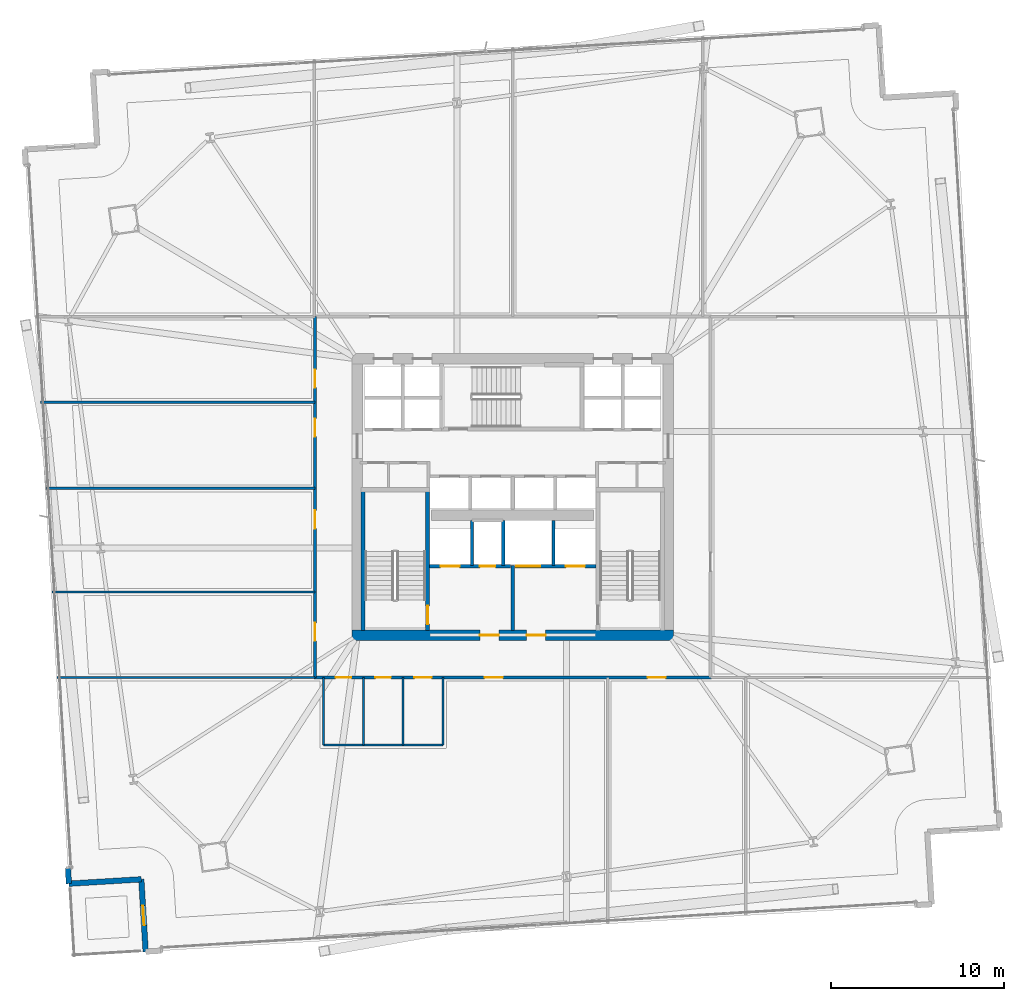
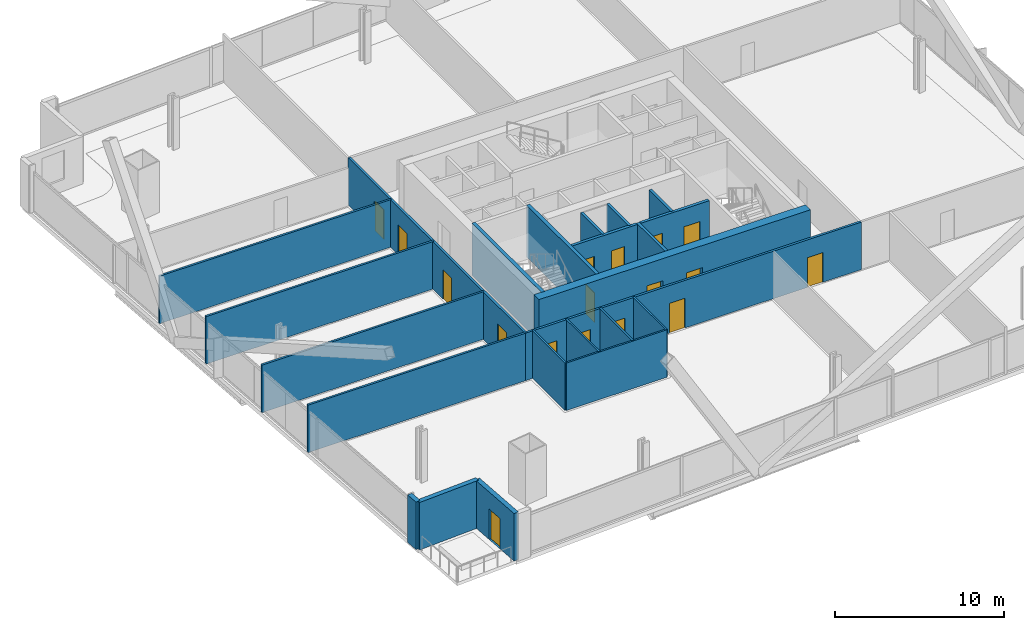
# One storey, part 26 of 34: 23 walls, 17 doors, 17 openings.
"""IFC4 building model written with IfcOpenShell, lengths in metres."""

from ifc_helpers import new_model, si_unit, direction, frame, frame_2d, origin, place, context, subcontext, project, spatial, rectangle, extrude, material, layer, layer_set, type_object, element, fill, save


model = new_model("IFC4")

# Units and contexts
model_context = context("Model", 3, precision=1e-05, world=origin(), true_north=direction((0.0, 1.0)))
body_context = subcontext(model_context, "Body", "Model", "MODEL_VIEW")
ifc_project = project(units=[si_unit("LENGTHUNIT", "METRE"), si_unit("AREAUNIT", "SQUARE_METRE"), si_unit("VOLUMEUNIT", "CUBIC_METRE"), si_unit("PLANEANGLEUNIT", "RADIAN"), si_unit("MASSUNIT", "GRAM", prefix="KILO")], contexts=[model_context])

# Site, building, storey
site_placement = place(None, origin())
site = spatial("IfcSite", under=ifc_project, at=site_placement, CompositionType="ELEMENT")
building_placement = place(site_placement, origin())
building = spatial("IfcBuilding", under=site, at=building_placement, Name="Haldenkirk Collegiate Tower", CompositionType="ELEMENT")
storey_placement = place(building_placement, frame((0.0, 0.0, 40.199951171875)))
storey = spatial("IfcBuildingStorey", under=building, at=storey_placement, Name="L08", CompositionType="ELEMENT", Elevation=40.199951171875)

# Wall, openings, doors
ifc_material_1 = material(Name="Concrete f'c 70 MPa", Category="concrete")
ifc_layer_1 = layer(ifc_material_1, 0.60009765625)
ifc_layer_set_1 = layer_set([ifc_layer_1], Name="Concrete f'c 70 MPa")
wall_type_1 = type_object("IfcWallType", Name="WL-CORE-600", PredefinedType="SHEAR", material=ifc_layer_set_1)
wall_1_placement = place(storey_placement, frame((26.699951171875, 18.0, 0.0), z_axis=(0.0, 0.0, 1.0), x_axis=(1.0, 0.0, 0.0)))
wall_1 = element("IfcWall", 1, at=wall_1_placement, inside=storey, type_object=wall_type_1, Name="L08 central core shear wall S", PredefinedType="SHEAR", context=body_context, shape_type="SweptSolid", body=[
    extrude(rectangle(XDim=18.60009765625, YDim=0.60009765625, at=frame_2d((9.300048828125, 0.0))), origin(), (0.0, 0.0, 1.0), 3.75),
])
opening_1_placement = place(wall_1_placement, frame((7.39990234375, 0.0, 0.0)))
opening_1 = element("IfcOpeningElement", 2, at=opening_1_placement, cuts=wall_1, Name="Opening D-02", PredefinedType="OPENING", context=body_context, shape_type="SweptSolid", body=[
    extrude(rectangle(XDim=1.10009765625, YDim=2.14990234375, at=frame_2d((0.550048828125, 1.074951171875))), frame((0.0, 0.31005859375, 0.0), z_axis=(0.0, -1.0, 0.0), x_axis=(1.0, 0.0, 0.0)), (0.0, 0.0, 1.0), 0.6201171875),
])
opening_2_placement = place(wall_1_placement, frame((10.10009765625, 0.0, 0.0)))
opening_2 = element("IfcOpeningElement", 3, at=opening_2_placement, cuts=wall_1, Name="Opening D-02", PredefinedType="OPENING", context=body_context, shape_type="SweptSolid", body=[
    extrude(rectangle(XDim=1.10009765625, YDim=2.14990234375, at=frame_2d((0.550048828125, 1.074951171875))), frame((0.0, 0.31005859375, 0.0), z_axis=(0.0, -1.0, 0.0), x_axis=(1.0, 0.0, 0.0)), (0.0, 0.0, 1.0), 0.6201171875),
])
ifc_material_2 = material(Name="Galvanized fire-rated hollow steel door", Category="steel")
ifc_layer_2 = layer(ifc_material_2, 0.06005859375)
ifc_layer_set_2 = layer_set([ifc_layer_2], Name="Galvanized fire-rated hollow steel door")
door_type_1 = type_object("IfcDoorType", Name="DR-STAIR-FD90-1100", OperationType="NOTDEFINED", PredefinedType="DOOR", material=ifc_layer_set_2)
door_1_placement = place(opening_1_placement, origin())
door_1 = element("IfcDoor", 4, at=door_1_placement, inside=storey, type_object=door_type_1, Name="L08 Firefighting Lobby 1 door", OperationType="SINGLE_SWING_RIGHT", OverallHeight=2.14990234375, OverallWidth=1.10009765625, PredefinedType="DOOR", context=body_context, shape_type="SweptSolid", body=[
    extrude(rectangle(XDim=1.10009765625, YDim=2.14990234375, at=frame_2d((0.550048828125, 1.074951171875))), frame((0.0, 0.02490234375, 0.0), z_axis=(0.0, -1.0, 0.0), x_axis=(1.0, 0.0, 0.0)), (0.0, 0.0, 1.0), 0.050048828125),
])
fill(opening_1, door_1)
door_2_placement = place(opening_2_placement, origin())
door_2 = element("IfcDoor", 5, at=door_2_placement, inside=storey, type_object=door_type_1, Name="L08 Firefighting Lobby 2 door", OperationType="SINGLE_SWING_LEFT", OverallHeight=2.14990234375, OverallWidth=1.10009765625, PredefinedType="DOOR", context=body_context, shape_type="SweptSolid", body=[
    extrude(rectangle(XDim=1.10009765625, YDim=2.14990234375, at=frame_2d((0.550048828125, 1.074951171875))), frame((0.0, 0.02490234375, 0.0), z_axis=(0.0, -1.0, 0.0), x_axis=(1.0, 0.0, 0.0)), (0.0, 0.0, 1.0), 0.050048828125),
])
fill(opening_2, door_2)

# Walls
ifc_material_3 = material(Name="Precast concrete f'c 40 MPa", Category="concrete")
ifc_layer_3 = layer(ifc_material_3, 0.320068359375)
ifc_layer_set_3 = layer_set([ifc_layer_3], Name="Precast concrete f'c 40 MPa")
wall_type_2 = type_object("IfcWallType", Name="WL-EXT-TWR-320", PredefinedType="STANDARD", material=ifc_layer_set_3)
wall_2_placement = place(storey_placement, frame((10.300537109375, 3.61279296875, 0.0), z_axis=(0.0, 0.0, 1.0), x_axis=(-0.060216615204, 0.998185333119, 0.0)))
element("IfcWall", 6, at=wall_2_placement, inside=storey, type_object=wall_type_2, Name="L08 precast corner pier WL", PredefinedType="STANDARD", context=body_context, shape_type="SweptSolid", body=[
    extrude(rectangle(XDim=0.900146484375, YDim=0.320068359375, at=frame_2d((0.4501953125, 0.0))), origin(), (0.0, 0.0, 1.0), 3.43994140625),
])
wall_3_placement = place(storey_placement, frame((14.492919921875, 3.865478515625, 0.0), z_axis=(0.0, 0.0, 1.0), x_axis=(-0.998188544632, -0.060163355677, 0.0)))
element("IfcWall", 7, at=wall_3_placement, inside=storey, type_object=wall_type_2, Name="L08 bronze precast notch wall 11", PredefinedType="STANDARD", context=body_context, shape_type="SweptSolid", body=[
    extrude(rectangle(XDim=4.199951171875, YDim=0.320068359375, at=frame_2d((2.10009765625, 0.0))), origin(), (0.0, 0.0, 1.0), 3.43994140625),
])

# Wall, opening, door
wall_4_placement = place(storey_placement, frame((14.745849609375, -0.32666015625, 0.0), z_axis=(0.0, 0.0, 1.0), x_axis=(-0.060224768245, 0.998184841244, 0.0)))
wall_4 = element("IfcWall", 8, at=wall_4_placement, inside=storey, type_object=wall_type_2, Name="L08 bronze precast notch wall 12", PredefinedType="STANDARD", context=body_context, shape_type="SweptSolid", body=[
    extrude(rectangle(XDim=4.19970703125, YDim=0.320068359375, at=frame_2d((2.099853515625, 0.0))), origin(), (0.0, 0.0, 1.0), 3.43994140625),
])
opening_3_placement = place(wall_4_placement, frame((1.52490234375, 0.0, 0.0)))
opening_3 = element("IfcOpeningElement", 9, at=opening_3_placement, cuts=wall_4, Name="Opening D-ST11", PredefinedType="OPENING", context=body_context, shape_type="SweptSolid", body=[
    extrude(rectangle(XDim=1.14990234375, YDim=2.199951171875, at=frame_2d((0.574951171875, 1.10009765625))), frame((0.0, 0.169921875, 0.0), z_axis=(0.0, -1.0, 0.0), x_axis=(1.0, 0.0, 0.0)), (0.0, 0.0, 1.0), 0.340087890625),
])
ifc_material_4 = material(Name="Anodised architectural bronze aluminium", Category="aluminium")
ifc_layer_4 = layer(ifc_material_4, 0.080078125)
ifc_layer_set_4 = layer_set([ifc_layer_4], Name="Anodised architectural bronze aluminium")
door_type_2 = type_object("IfcDoorType", Name="DR-EXT-STER-1150", OperationType="NOTDEFINED", PredefinedType="DOOR", material=ifc_layer_set_4)
door_3_placement = place(opening_3_placement, origin())
door_3 = element("IfcDoor", 10, at=door_3_placement, inside=storey, type_object=door_type_2, Name="L08 spiralling terrace door", OperationType="SINGLE_SWING_LEFT", OverallHeight=2.199951171875, OverallWidth=1.14990234375, PredefinedType="DOOR", context=body_context, shape_type="SweptSolid", body=[
    extrude(rectangle(XDim=1.14990234375, YDim=2.199951171875, at=frame_2d((0.574951171875, 1.10009765625))), frame((0.0, 0.02490234375, 0.0), z_axis=(0.0, -1.0, 0.0), x_axis=(1.0, 0.0, 0.0)), (0.0, 0.0, 1.0), 0.050048828125),
])
fill(opening_3, door_3)

# Wall, openings, doors
ifc_material_5 = material(Name="Acoustic fire-rated gypsum partition", Category="concrete")
ifc_layer_5 = layer(ifc_material_5, 0.159912109375)
ifc_layer_set_5 = layer_set([ifc_layer_5], Name="Acoustic fire-rated gypsum partition")
wall_type_3 = type_object("IfcWallType", Name="WL-INT-CORR-160", PredefinedType="PARTITIONING", material=ifc_layer_set_5)
wall_5_placement = place(storey_placement, frame((24.5, 15.550048828125, 0.0), z_axis=(0.0, 0.0, 1.0), x_axis=(1.0, 0.0, 0.0)))
wall_5 = element("IfcWall", 11, at=wall_5_placement, inside=storey, type_object=wall_type_3, Name="L08 interior partition IW-L08-CS", PredefinedType="PARTITIONING", context=body_context, shape_type="SweptSolid", body=[
    extrude(rectangle(XDim=23.0, YDim=0.159912109375, at=frame_2d((11.5, 0.0))), origin(), (0.0, 0.0, 1.0), 3.43994140625),
])
opening_4_placement = place(wall_5_placement, frame((1.25, 0.0, 0.0)))
opening_4 = element("IfcOpeningElement", 12, at=opening_4_placement, cuts=wall_5, Name="Opening D-13", PredefinedType="OPENING", context=body_context, shape_type="SweptSolid", body=[
    extrude(rectangle(XDim=0.89990234375, YDim=2.14990234375, at=frame_2d((0.449951171875, 1.074951171875))), frame((0.0, 0.08984375, 0.0), z_axis=(0.0, -1.0, 0.0), x_axis=(1.0, 0.0, 0.0)), (0.0, 0.0, 1.0), 0.179931640625),
])
opening_5_placement = place(wall_5_placement, frame((3.550048828125, 0.0, 0.0)))
opening_5 = element("IfcOpeningElement", 13, at=opening_5_placement, cuts=wall_5, Name="Opening D-13", PredefinedType="OPENING", context=body_context, shape_type="SweptSolid", body=[
    extrude(rectangle(XDim=0.89990234375, YDim=2.14990234375, at=frame_2d((0.449951171875, 1.074951171875))), frame((0.0, 0.08984375, 0.0), z_axis=(0.0, -1.0, 0.0), x_axis=(1.0, 0.0, 0.0)), (0.0, 0.0, 1.0), 0.179931640625),
])
opening_6_placement = place(wall_5_placement, frame((5.800048828125, 0.0, 0.0)))
opening_6 = element("IfcOpeningElement", 14, at=opening_6_placement, cuts=wall_5, Name="Opening D-14", PredefinedType="OPENING", context=body_context, shape_type="SweptSolid", body=[
    extrude(rectangle(XDim=1.0, YDim=2.14990234375, at=frame_2d((0.5, 1.074951171875))), frame((0.0, 0.08984375, 0.0), z_axis=(0.0, -1.0, 0.0), x_axis=(1.0, 0.0, 0.0)), (0.0, 0.0, 1.0), 0.179931640625),
])
opening_7_placement = place(wall_5_placement, frame((9.875, 0.0, 0.0)))
opening_7 = element("IfcOpeningElement", 15, at=opening_7_placement, cuts=wall_5, Name="Opening D-09", PredefinedType="OPENING", context=body_context, shape_type="SweptSolid", body=[
    extrude(rectangle(XDim=1.050048828125, YDim=2.14990234375, at=frame_2d((0.52490234375, 1.074951171875))), frame((0.0, 0.08984375, 0.0), z_axis=(0.0, -1.0, 0.0), x_axis=(1.0, 0.0, 0.0)), (0.0, 0.0, 1.0), 0.179931640625),
])
opening_8_placement = place(wall_5_placement, frame((19.30908203125, 0.0, 0.0)))
opening_8 = element("IfcOpeningElement", 16, at=opening_8_placement, cuts=wall_5, Name="Opening D-09", PredefinedType="OPENING", context=body_context, shape_type="SweptSolid", body=[
    extrude(rectangle(XDim=1.050048828125, YDim=2.14990234375, at=frame_2d((0.52490234375, 1.074951171875))), frame((0.0, 0.08984375, 0.0), z_axis=(0.0, -1.0, 0.0), x_axis=(1.0, 0.0, 0.0)), (0.0, 0.0, 1.0), 0.179931640625),
])
ifc_material_6 = material(Name="Solid-core architectural oak fire door", Category="wood")
ifc_layer_6 = layer(ifc_material_6, 0.06005859375)
ifc_layer_set_6 = layer_set([ifc_layer_6], Name="Solid-core architectural oak fire door")
door_type_3 = type_object("IfcDoorType", Name="DR-INT-ACC-1000", OperationType="NOTDEFINED", PredefinedType="DOOR", material=ifc_layer_set_6)
door_4_placement = place(opening_6_placement, origin())
door_4 = element("IfcDoor", 17, at=door_4_placement, inside=storey, type_object=door_type_3, Name="L08 Accessible WC door", OperationType="SINGLE_SWING_LEFT", OverallHeight=2.14990234375, OverallWidth=1.0, PredefinedType="DOOR", context=body_context, shape_type="SweptSolid", body=[
    extrude(rectangle(XDim=1.0, YDim=2.14990234375, at=frame_2d((0.5, 1.074951171875))), frame((0.0, 0.02490234375, 0.0), z_axis=(0.0, -1.0, 0.0), x_axis=(1.0, 0.0, 0.0)), (0.0, 0.0, 1.0), 0.050048828125),
])
fill(opening_6, door_4)
ifc_layer_7 = layer(ifc_material_6, 0.06005859375)
ifc_layer_set_7 = layer_set([ifc_layer_7], Name="Solid-core architectural oak fire door")
door_type_4 = type_object("IfcDoorType", Name="DR-INT-FD60-1050", OperationType="NOTDEFINED", PredefinedType="DOOR", material=ifc_layer_set_7)
door_5_placement = place(opening_7_placement, origin())
door_5 = element("IfcDoor", 18, at=door_5_placement, inside=storey, type_object=door_type_4, Name="L08 Graduate Seminar Room 1 door", OperationType="SINGLE_SWING_RIGHT", OverallHeight=2.14990234375, OverallWidth=1.050048828125, PredefinedType="DOOR", context=body_context, shape_type="SweptSolid", body=[
    extrude(rectangle(XDim=1.050048828125, YDim=2.14990234375, at=frame_2d((0.52490234375, 1.074951171875))), frame((0.0, 0.02490234375, 0.0), z_axis=(0.0, -1.0, 0.0), x_axis=(1.0, 0.0, 0.0)), (0.0, 0.0, 1.0), 0.050048828125),
])
fill(opening_7, door_5)
door_6_placement = place(opening_8_placement, origin())
door_6 = element("IfcDoor", 19, at=door_6_placement, inside=storey, type_object=door_type_4, Name="L08 Colloquium Conference Room 2 door", OperationType="SINGLE_SWING_LEFT", OverallHeight=2.14990234375, OverallWidth=1.050048828125, PredefinedType="DOOR", context=body_context, shape_type="SweptSolid", body=[
    extrude(rectangle(XDim=1.050048828125, YDim=2.14990234375, at=frame_2d((0.52490234375, 1.074951171875))), frame((0.0, 0.02490234375, 0.0), z_axis=(0.0, -1.0, 0.0), x_axis=(1.0, 0.0, 0.0)), (0.0, 0.0, 1.0), 0.050048828125),
])
fill(opening_8, door_6)
ifc_layer_8 = layer(ifc_material_6, 0.06005859375)
ifc_layer_set_8 = layer_set([ifc_layer_8], Name="Solid-core architectural oak fire door")
door_type_5 = type_object("IfcDoorType", Name="DR-INT-STD-900", OperationType="NOTDEFINED", PredefinedType="DOOR", material=ifc_layer_set_8)
door_7_placement = place(opening_4_placement, origin())
door_7 = element("IfcDoor", 20, at=door_7_placement, inside=storey, type_object=door_type_5, Name="L08 Male WC door", OperationType="SINGLE_SWING_LEFT", OverallHeight=2.14990234375, OverallWidth=0.89990234375, PredefinedType="DOOR", context=body_context, shape_type="SweptSolid", body=[
    extrude(rectangle(XDim=0.89990234375, YDim=2.14990234375, at=frame_2d((0.449951171875, 1.074951171875))), frame((0.0, 0.02490234375, 0.0), z_axis=(0.0, -1.0, 0.0), x_axis=(1.0, 0.0, 0.0)), (0.0, 0.0, 1.0), 0.050048828125),
])
fill(opening_4, door_7)
door_8_placement = place(opening_5_placement, origin())
door_8 = element("IfcDoor", 21, at=door_8_placement, inside=storey, type_object=door_type_5, Name="L08 Female WC door", OperationType="SINGLE_SWING_RIGHT", OverallHeight=2.14990234375, OverallWidth=0.89990234375, PredefinedType="DOOR", context=body_context, shape_type="SweptSolid", body=[
    extrude(rectangle(XDim=0.89990234375, YDim=2.14990234375, at=frame_2d((0.449951171875, 1.074951171875))), frame((0.0, 0.02490234375, 0.0), z_axis=(0.0, -1.0, 0.0), x_axis=(1.0, 0.0, 0.0)), (0.0, 0.0, 1.0), 0.050048828125),
])
fill(opening_5, door_8)

wall_6_placement = place(storey_placement, frame((24.550048828125, 15.550048828125, 0.0), z_axis=(0.0, 0.0, 1.0), x_axis=(0.0, 1.0, 0.0)))
wall_6 = element("IfcWall", 22, at=wall_6_placement, inside=storey, type_object=wall_type_3, Name="L08 interior partition IW-L08-CW", PredefinedType="PARTITIONING", context=body_context, shape_type="SweptSolid", body=[
    extrude(rectangle(XDim=20.89990234375, YDim=0.159912109375, at=frame_2d((10.449951171875, 0.0))), origin(), (0.0, 0.0, 1.0), 3.43994140625),
])
opening_9_placement = place(wall_6_placement, frame((2.115966796875, 0.0, 0.0)))
opening_9 = element("IfcOpeningElement", 23, at=opening_9_placement, cuts=wall_6, Name="Opening D-09", PredefinedType="OPENING", context=body_context, shape_type="SweptSolid", body=[
    extrude(rectangle(XDim=1.050048828125, YDim=2.14990234375, at=frame_2d((0.52490234375, 1.074951171875))), frame((0.0, 0.08984375, 0.0), z_axis=(0.0, -1.0, 0.0), x_axis=(1.0, 0.0, 0.0)), (0.0, 0.0, 1.0), 0.179931640625),
])
opening_10_placement = place(wall_6_placement, frame((8.625, 0.0, 0.0)))
opening_10 = element("IfcOpeningElement", 24, at=opening_10_placement, cuts=wall_6, Name="Opening D-09", PredefinedType="OPENING", context=body_context, shape_type="SweptSolid", body=[
    extrude(rectangle(XDim=1.050048828125, YDim=2.14990234375, at=frame_2d((0.52490234375, 1.074951171875))), frame((0.0, 0.08984375, 0.0), z_axis=(0.0, -1.0, 0.0), x_axis=(1.0, 0.0, 0.0)), (0.0, 0.0, 1.0), 0.179931640625),
])
opening_11_placement = place(wall_6_placement, frame((13.945068359375, 0.0, 0.0)))
opening_11 = element("IfcOpeningElement", 25, at=opening_11_placement, cuts=wall_6, Name="Opening D-09", PredefinedType="OPENING", context=body_context, shape_type="SweptSolid", body=[
    extrude(rectangle(XDim=1.050048828125, YDim=2.14990234375, at=frame_2d((0.52490234375, 1.074951171875))), frame((0.0, 0.08984375, 0.0), z_axis=(0.0, -1.0, 0.0), x_axis=(1.0, 0.0, 0.0)), (0.0, 0.0, 1.0), 0.179931640625),
])
opening_12_placement = place(wall_6_placement, frame((16.782958984375, 0.0, 0.0)))
opening_12 = element("IfcOpeningElement", 26, at=opening_12_placement, cuts=wall_6, Name="Opening D-09", PredefinedType="OPENING", context=body_context, shape_type="SweptSolid", body=[
    extrude(rectangle(XDim=1.050048828125, YDim=2.14990234375, at=frame_2d((0.52490234375, 1.074951171875))), frame((0.0, 0.08984375, 0.0), z_axis=(0.0, -1.0, 0.0), x_axis=(1.0, 0.0, 0.0)), (0.0, 0.0, 1.0), 0.179931640625),
])
door_9_placement = place(opening_9_placement, origin())
door_9 = element("IfcDoor", 27, at=door_9_placement, inside=storey, type_object=door_type_4, Name="L08 Colloquium Conference Room 8 door", OperationType="SINGLE_SWING_LEFT", OverallHeight=2.14990234375, OverallWidth=1.050048828125, PredefinedType="DOOR", context=body_context, shape_type="SweptSolid", body=[
    extrude(rectangle(XDim=1.050048828125, YDim=2.14990234375, at=frame_2d((0.52490234375, 1.074951171875))), frame((0.0, 0.02490234375, 0.0), z_axis=(0.0, -1.0, 0.0), x_axis=(1.0, 0.0, 0.0)), (0.0, 0.0, 1.0), 0.050048828125),
])
fill(opening_9, door_9)
door_10_placement = place(opening_10_placement, origin())
door_10 = element("IfcDoor", 28, at=door_10_placement, inside=storey, type_object=door_type_4, Name="L08 Tutorial Seminar Room 9 door", OperationType="SINGLE_SWING_RIGHT", OverallHeight=2.14990234375, OverallWidth=1.050048828125, PredefinedType="DOOR", context=body_context, shape_type="SweptSolid", body=[
    extrude(rectangle(XDim=1.050048828125, YDim=2.14990234375, at=frame_2d((0.52490234375, 1.074951171875))), frame((0.0, 0.02490234375, 0.0), z_axis=(0.0, -1.0, 0.0), x_axis=(1.0, 0.0, 0.0)), (0.0, 0.0, 1.0), 0.050048828125),
])
fill(opening_10, door_10)
door_11_placement = place(opening_11_placement, origin())
door_11 = element("IfcDoor", 29, at=door_11_placement, inside=storey, type_object=door_type_4, Name="L08 Breakout Conference Room 10 door", OperationType="SINGLE_SWING_LEFT", OverallHeight=2.14990234375, OverallWidth=1.050048828125, PredefinedType="DOOR", context=body_context, shape_type="SweptSolid", body=[
    extrude(rectangle(XDim=1.050048828125, YDim=2.14990234375, at=frame_2d((0.52490234375, 1.074951171875))), frame((0.0, 0.02490234375, 0.0), z_axis=(0.0, -1.0, 0.0), x_axis=(1.0, 0.0, 0.0)), (0.0, 0.0, 1.0), 0.050048828125),
])
fill(opening_11, door_11)
door_12_placement = place(opening_12_placement, origin())
door_12 = element("IfcDoor", 30, at=door_12_placement, inside=storey, type_object=door_type_4, Name="L08 Case Method Seminar Room 11 door", OperationType="SINGLE_SWING_RIGHT", OverallHeight=2.14990234375, OverallWidth=1.050048828125, PredefinedType="DOOR", context=body_context, shape_type="SweptSolid", body=[
    extrude(rectangle(XDim=1.050048828125, YDim=2.14990234375, at=frame_2d((0.52490234375, 1.074951171875))), frame((0.0, 0.02490234375, 0.0), z_axis=(0.0, -1.0, 0.0), x_axis=(1.0, 0.0, 0.0)), (0.0, 0.0, 1.0), 0.050048828125),
])
fill(opening_12, door_12)

# Walls
ifc_layer_9 = layer(ifc_material_5, 0.139892578125)
ifc_layer_set_9 = layer_set([ifc_layer_9], Name="Acoustic fire-rated gypsum partition")
wall_type_4 = type_object("IfcWallType", Name="WL-INT-DIV-140", PredefinedType="PARTITIONING", material=ifc_layer_set_9)
wall_7_placement = place(storey_placement, frame((9.62109375, 15.550048828125, 0.0), z_axis=(0.0, 0.0, 1.0), x_axis=(1.0, 0.0, 0.0)))
element("IfcWall", 31, at=wall_7_placement, inside=storey, type_object=wall_type_4, Name="L08 interior partition IW-L08-BWS", PredefinedType="PARTITIONING", context=body_context, shape_type="SweptSolid", body=[
    extrude(rectangle(XDim=14.928955078125, YDim=0.139892578125, at=frame_2d((7.46435546875, 0.0))), origin(), (0.0, 0.0, 1.0), 3.43994140625),
])
wall_8_placement = place(storey_placement, frame((9.322509765625, 20.5, 0.0), z_axis=(0.0, 0.0, 1.0), x_axis=(1.0, 0.0, 0.0)))
element("IfcWall", 32, at=wall_8_placement, inside=storey, type_object=wall_type_4, Name="L08 interior partition IW-L08-RW1", PredefinedType="PARTITIONING", context=body_context, shape_type="SweptSolid", body=[
    extrude(rectangle(XDim=15.2275390625, YDim=0.139892578125, at=frame_2d((7.61376953125, 0.0))), origin(), (0.0, 0.0, 1.0), 3.43994140625),
])
wall_9_placement = place(storey_placement, frame((8.9609375, 26.5, 0.0), z_axis=(0.0, 0.0, 1.0), x_axis=(1.0, 0.0, 0.0)))
element("IfcWall", 33, at=wall_9_placement, inside=storey, type_object=wall_type_4, Name="L08 interior partition IW-L08-RW2", PredefinedType="PARTITIONING", context=body_context, shape_type="SweptSolid", body=[
    extrude(rectangle(XDim=15.589111328125, YDim=0.139892578125, at=frame_2d((7.79443359375, 0.0))), origin(), (0.0, 0.0, 1.0), 3.43994140625),
])
wall_10_placement = place(storey_placement, frame((8.659423828125, 31.5, 0.0), z_axis=(0.0, 0.0, 1.0), x_axis=(1.0, 0.0, 0.0)))
element("IfcWall", 34, at=wall_10_placement, inside=storey, type_object=wall_type_4, Name="L08 interior partition IW-L08-RW3", PredefinedType="PARTITIONING", context=body_context, shape_type="SweptSolid", body=[
    extrude(rectangle(XDim=15.890625, YDim=0.139892578125, at=frame_2d((7.9453125, 0.0))), origin(), (0.0, 0.0, 1.0), 3.43994140625),
])
ifc_material_7 = material(Name="Fire-rated gypsum shaftboard assembly", Category="concrete")
ifc_layer_10 = layer(ifc_material_7, 0.179931640625)
ifc_layer_set_10 = layer_set([ifc_layer_10], Name="Fire-rated gypsum shaftboard assembly")
wall_type_5 = type_object("IfcWallType", Name="WL-INT-SHAFT-180", PredefinedType="PARTITIONING", material=ifc_layer_set_10)
for number, where, z_axis, x_axis, name in (
    (35, (33.64990234375, 22.050048828125, 0.0), (0.0, 0.0, 1.0), (0.0, 1.0, 0.0), "L08 interior partition IW-L08-FL1E"),
    (36, (35.449951171875, 22.050048828125, 0.0), (0.0, 0.0, 1.0), (0.0, 1.0, 0.0), "L08 interior partition IW-L08-GL1W"),
    (37, (38.35009765625, 22.050048828125, 0.0), (0.0, 0.0, 1.0), (0.0, 1.0, 0.0), "L08 interior partition IW-L08-GL1E"),
):
    element("IfcWall", number, at=place(storey_placement, frame(where, z_axis=z_axis, x_axis=x_axis)), inside=storey, type_object=wall_type_5, Name=name, PredefinedType="PARTITIONING", context=body_context, shape_type="SweptSolid", body=[
        extrude(rectangle(XDim=2.599853515625, YDim=0.179931640625, at=frame_2d((1.2998046875, 0.0))), origin(), (0.0, 0.0, 1.0), 3.43994140625),
    ])
ifc_layer_11 = layer(ifc_material_7, 0.199951171875)
ifc_layer_set_11 = layer_set([ifc_layer_11], Name="Fire-rated gypsum shaftboard assembly")
wall_type_6 = type_object("IfcWallType", Name="WL-INT-SHAFT-200", PredefinedType="PARTITIONING", material=ifc_layer_set_11)
wall_11_placement = place(storey_placement, frame((36.0, 18.280029296875, 0.0), z_axis=(0.0, 0.0, 1.0), x_axis=(0.0, 1.0, 0.0)))
element("IfcWall", 38, at=wall_11_placement, inside=storey, type_object=wall_type_6, Name="L08 interior partition IW-L08-FFLM", PredefinedType="PARTITIONING", context=body_context, shape_type="SweptSolid", body=[
    extrude(rectangle(XDim=3.77001953125, YDim=0.199951171875, at=frame_2d((1.885009765625, 0.0))), origin(), (0.0, 0.0, 1.0), 3.43994140625),
])

# Wall, openings, doors
wall_12_placement = place(storey_placement, frame((31.18994140625, 22.0, 0.0), z_axis=(0.0, 0.0, 1.0), x_axis=(1.0, 0.0, 0.0)))
wall_12 = element("IfcWall", 39, at=wall_12_placement, inside=storey, type_object=wall_type_6, Name="L08 interior partition IW-L08-FFL1N", PredefinedType="PARTITIONING", context=body_context, shape_type="SweptSolid", body=[
    extrude(rectangle(XDim=4.68994140625, YDim=0.199951171875, at=frame_2d((2.344970703125, 0.0))), origin(), (0.0, 0.0, 1.0), 3.43994140625),
])
opening_13_placement = place(wall_12_placement, frame((2.909912109375, 0.0, 0.0)))
opening_13 = element("IfcOpeningElement", 40, at=opening_13_placement, cuts=wall_12, Name="Opening D-06", PredefinedType="OPENING", context=body_context, shape_type="SweptSolid", body=[
    extrude(rectangle(XDim=0.89990234375, YDim=2.14990234375, at=frame_2d((0.449951171875, 1.074951171875))), frame((0.0, 0.10986328125, 0.0), z_axis=(0.0, -1.0, 0.0), x_axis=(1.0, 0.0, 0.0)), (0.0, 0.0, 1.0), 0.219970703125),
])
opening_14_placement = place(wall_12_placement, frame((0.635009765625, 0.0, 0.0)))
opening_14 = element("IfcOpeningElement", 41, at=opening_14_placement, cuts=wall_12, Name="Opening LD-12", PredefinedType="OPENING", context=body_context, shape_type="SweptSolid", body=[
    extrude(rectangle(XDim=1.10009765625, YDim=2.14990234375, at=frame_2d((0.550048828125, 1.074951171875))), frame((0.0, 0.10986328125, 0.0), z_axis=(0.0, -1.0, 0.0), x_axis=(1.0, 0.0, 0.0)), (0.0, 0.0, 1.0), 0.219970703125),
])
ifc_layer_12 = layer(ifc_material_2, 0.06005859375)
ifc_layer_set_12 = layer_set([ifc_layer_12], Name="Galvanized fire-rated hollow steel door")
door_type_6 = type_object("IfcDoorType", Name="DR-INT-FD90-900", OperationType="NOTDEFINED", PredefinedType="DOOR", material=ifc_layer_set_12)
door_13_placement = place(opening_13_placement, origin())
door_13 = element("IfcDoor", 42, at=door_13_placement, inside=storey, type_object=door_type_6, Name="L08 electrical riser door", OperationType="SINGLE_SWING_RIGHT", OverallHeight=2.14990234375, OverallWidth=0.89990234375, PredefinedType="DOOR", context=body_context, shape_type="SweptSolid", body=[
    extrude(rectangle(XDim=0.89990234375, YDim=2.14990234375, at=frame_2d((0.449951171875, 1.074951171875))), frame((0.0, 0.02490234375, 0.0), z_axis=(0.0, -1.0, 0.0), x_axis=(1.0, 0.0, 0.0)), (0.0, 0.0, 1.0), 0.050048828125),
])
fill(opening_13, door_13)
ifc_material_8 = material(Name="Brushed architectural stainless steel", Category="steel")
ifc_layer_13 = layer(ifc_material_8, 0.06005859375)
ifc_layer_set_13 = layer_set([ifc_layer_13], Name="Brushed architectural stainless steel")
door_type_7 = type_object("IfcDoorType", Name="LD-FIRE-1100", OperationType="NOTDEFINED", PredefinedType="DOOR", material=ifc_layer_set_13)
door_14_placement = place(opening_14_placement, origin())
door_14 = element("IfcDoor", 43, at=door_14_placement, inside=storey, type_object=door_type_7, Name="L08 Elevator FL1 sliding landing door", OperationType="SLIDING_TO_LEFT", OverallHeight=2.14990234375, OverallWidth=1.10009765625, PredefinedType="DOOR", context=body_context, shape_type="SweptSolid", body=[
    extrude(rectangle(XDim=1.10009765625, YDim=2.14990234375, at=frame_2d((0.550048828125, 1.074951171875))), frame((0.0, 0.02490234375, 0.0), z_axis=(0.0, -1.0, 0.0), x_axis=(1.0, 0.0, 0.0)), (0.0, 0.0, 1.0), 0.050048828125),
])
fill(opening_14, door_14)

wall_13_placement = place(storey_placement, frame((36.1201171875, 22.0, 0.0), z_axis=(0.0, 0.0, 1.0), x_axis=(1.0, 0.0, 0.0)))
wall_13 = element("IfcWall", 44, at=wall_13_placement, inside=storey, type_object=wall_type_6, Name="L08 interior partition IW-L08-FFL2N", PredefinedType="PARTITIONING", context=body_context, shape_type="SweptSolid", body=[
    extrude(rectangle(XDim=4.68994140625, YDim=0.199951171875, at=frame_2d((2.344970703125, 0.0))), origin(), (0.0, 0.0, 1.0), 3.43994140625),
])
opening_15_placement = place(wall_13_placement, frame((2.955078125, 0.0, 0.0)))
opening_15 = element("IfcOpeningElement", 45, at=opening_15_placement, cuts=wall_13, Name="Opening LD-12", PredefinedType="OPENING", context=body_context, shape_type="SweptSolid", body=[
    extrude(rectangle(XDim=1.10009765625, YDim=2.14990234375, at=frame_2d((0.550048828125, 1.074951171875))), frame((0.0, 0.10986328125, 0.0), z_axis=(0.0, -1.0, 0.0), x_axis=(1.0, 0.0, 0.0)), (0.0, 0.0, 1.0), 0.219970703125),
])
opening_16_placement = place(wall_13_placement, frame((0.080078125, 0.0, 0.0)))
opening_16 = element("IfcOpeningElement", 46, at=opening_16_placement, cuts=wall_13, Name="Opening LD-13", PredefinedType="OPENING", context=body_context, shape_type="SweptSolid", body=[
    extrude(rectangle(XDim=1.39990234375, YDim=2.199951171875, at=frame_2d((0.699951171875, 1.10009765625))), frame((0.0, 0.10986328125, 0.0), z_axis=(0.0, -1.0, 0.0), x_axis=(1.0, 0.0, 0.0)), (0.0, 0.0, 1.0), 0.219970703125),
])
door_15_placement = place(opening_15_placement, origin())
door_15 = element("IfcDoor", 47, at=door_15_placement, inside=storey, type_object=door_type_7, Name="L08 Elevator FL2 sliding landing door", OperationType="SLIDING_TO_LEFT", OverallHeight=2.14990234375, OverallWidth=1.10009765625, PredefinedType="DOOR", context=body_context, shape_type="SweptSolid", body=[
    extrude(rectangle(XDim=1.10009765625, YDim=2.14990234375, at=frame_2d((0.550048828125, 1.074951171875))), frame((0.0, 0.02490234375, 0.0), z_axis=(0.0, -1.0, 0.0), x_axis=(1.0, 0.0, 0.0)), (0.0, 0.0, 1.0), 0.050048828125),
])
fill(opening_15, door_15)
ifc_layer_14 = layer(ifc_material_8, 0.06005859375)
ifc_layer_set_14 = layer_set([ifc_layer_14], Name="Brushed architectural stainless steel")
door_type_8 = type_object("IfcDoorType", Name="LD-GOODS-1400", OperationType="NOTDEFINED", PredefinedType="DOOR", material=ifc_layer_set_14)
door_16_placement = place(opening_16_placement, origin())
door_16 = element("IfcDoor", 48, at=door_16_placement, inside=storey, type_object=door_type_8, Name="L08 Elevator GL1 sliding landing door", OperationType="SLIDING_TO_LEFT", OverallHeight=2.199951171875, OverallWidth=1.39990234375, PredefinedType="DOOR", context=body_context, shape_type="SweptSolid", body=[
    extrude(rectangle(XDim=1.39990234375, YDim=2.199951171875, at=frame_2d((0.699951171875, 1.10009765625))), frame((0.0, 0.02490234375, 0.0), z_axis=(0.0, -1.0, 0.0), x_axis=(1.0, 0.0, 0.0)), (0.0, 0.0, 1.0), 0.050048828125),
])
fill(opening_16, door_16)

# Walls
ifc_layer_15 = layer(ifc_material_5, 0.1201171875)
ifc_layer_set_15 = layer_set([ifc_layer_15], Name="Acoustic fire-rated gypsum partition")
wall_type_7 = type_object("IfcWallType", Name="WL-INT-WET-120", PredefinedType="PARTITIONING", material=ifc_layer_set_15)
for number, where, z_axis, x_axis, name in (
    (49, (25.050048828125, 11.64990234375, 0.0), (0.0, 0.0, 1.0), (0.0, 1.0, 0.0), "L08 interior partition IW-L08-WCW"),
    (50, (27.35009765625, 11.64990234375, 0.0), (0.0, 0.0, 1.0), (0.0, 1.0, 0.0), "L08 interior partition IW-L08-WC1"),
    (51, (29.64990234375, 11.64990234375, 0.0), (0.0, 0.0, 1.0), (0.0, 1.0, 0.0), "L08 interior partition IW-L08-WC2"),
    (52, (31.949951171875, 11.64990234375, 0.0), (0.0, 0.0, 1.0), (0.0, 1.0, 0.0), "L08 interior partition IW-L08-WCE"),
):
    element("IfcWall", number, at=place(storey_placement, frame(where, z_axis=z_axis, x_axis=x_axis)), inside=storey, type_object=wall_type_7, Name=name, PredefinedType="PARTITIONING", context=body_context, shape_type="SweptSolid", body=[
        extrude(rectangle(XDim=3.900146484375, YDim=0.1201171875, at=frame_2d((1.9501953125, 0.0))), origin(), (0.0, 0.0, 1.0), 3.43994140625),
    ])
wall_14_placement = place(storey_placement, frame((25.050048828125, 11.64990234375, 0.0), z_axis=(0.0, 0.0, 1.0), x_axis=(1.0, 0.0, 0.0)))
element("IfcWall", 53, at=wall_14_placement, inside=storey, type_object=wall_type_7, Name="L08 interior partition IW-L08-WCB", PredefinedType="PARTITIONING", context=body_context, shape_type="SweptSolid", body=[
    extrude(rectangle(XDim=6.89990234375, YDim=0.1201171875, at=frame_2d((3.449951171875, 0.0))), origin(), (0.0, 0.0, 1.0), 3.43994140625),
])

# Wall, opening, door
ifc_material_9 = material(Name="Concrete f'c 55 MPa", Category="concrete")
ifc_layer_16 = layer(ifc_material_9, 0.239990234375)
ifc_layer_set_16 = layer_set([ifc_layer_16], Name="Concrete f'c 55 MPa")
wall_type_8 = type_object("IfcWallType", Name="WL-SHAFT-240", PredefinedType="SHEAR", material=ifc_layer_set_16)
wall_15_placement = place(storey_placement, frame((31.070068359375, 18.280029296875, 0.0), z_axis=(0.0, 0.0, 1.0), x_axis=(0.0, 1.0, 0.0)))
wall_15 = element("IfcWall", 54, at=wall_15_placement, inside=storey, type_object=wall_type_8, Name="L08 stair shaft shear wall SW-L08-ST1E", PredefinedType="SHEAR", context=body_context, shape_type="SweptSolid", body=[
    extrude(rectangle(XDim=8.260009765625, YDim=0.239990234375, at=frame_2d((4.1298828125, 0.0))), origin(), (0.0, 0.0, 1.0), 3.75),
])
opening_17_placement = place(wall_15_placement, frame((0.364990234375, 0.0, 0.0)))
opening_17 = element("IfcOpeningElement", 55, at=opening_17_placement, cuts=wall_15, Name="Opening D-01", PredefinedType="OPENING", context=body_context, shape_type="SweptSolid", body=[
    extrude(rectangle(XDim=1.050048828125, YDim=2.14990234375, at=frame_2d((0.52490234375, 1.074951171875))), frame((0.0, 0.1298828125, 0.0), z_axis=(0.0, -1.0, 0.0), x_axis=(1.0, 0.0, 0.0)), (0.0, 0.0, 1.0), 0.260009765625),
])
ifc_layer_17 = layer(ifc_material_2, 0.06005859375)
ifc_layer_set_17 = layer_set([ifc_layer_17], Name="Galvanized fire-rated hollow steel door")
door_type_9 = type_object("IfcDoorType", Name="DR-STAIR-FD90-1050", OperationType="NOTDEFINED", PredefinedType="DOOR", material=ifc_layer_set_17)
door_17_placement = place(opening_17_placement, origin())
door_17 = element("IfcDoor", 56, at=door_17_placement, inside=storey, type_object=door_type_9, Name="L08 Stair 1 door", OperationType="SINGLE_SWING_LEFT", OverallHeight=2.14990234375, OverallWidth=1.050048828125, PredefinedType="DOOR", context=body_context, shape_type="SweptSolid", body=[
    extrude(rectangle(XDim=1.050048828125, YDim=2.14990234375, at=frame_2d((0.52490234375, 1.074951171875))), frame((0.0, 0.02490234375, 0.0), z_axis=(0.0, -1.0, 0.0), x_axis=(1.0, 0.0, 0.0)), (0.0, 0.0, 1.0), 0.050048828125),
])
fill(opening_17, door_17)

# Wall
wall_16_placement = place(storey_placement, frame((27.330078125, 18.280029296875, 0.0), z_axis=(0.0, 0.0, 1.0), x_axis=(0.0, 1.0, 0.0)))
element("IfcWall", 57, at=wall_16_placement, inside=storey, type_object=wall_type_8, Name="L08 stair shaft shear wall SW-L08-ST1W", PredefinedType="SHEAR", context=body_context, shape_type="SweptSolid", body=[
    extrude(rectangle(XDim=8.260009765625, YDim=0.239990234375, at=frame_2d((4.1298828125, 0.0))), origin(), (0.0, 0.0, 1.0), 3.75),
])

save(model, "model.ifc")
